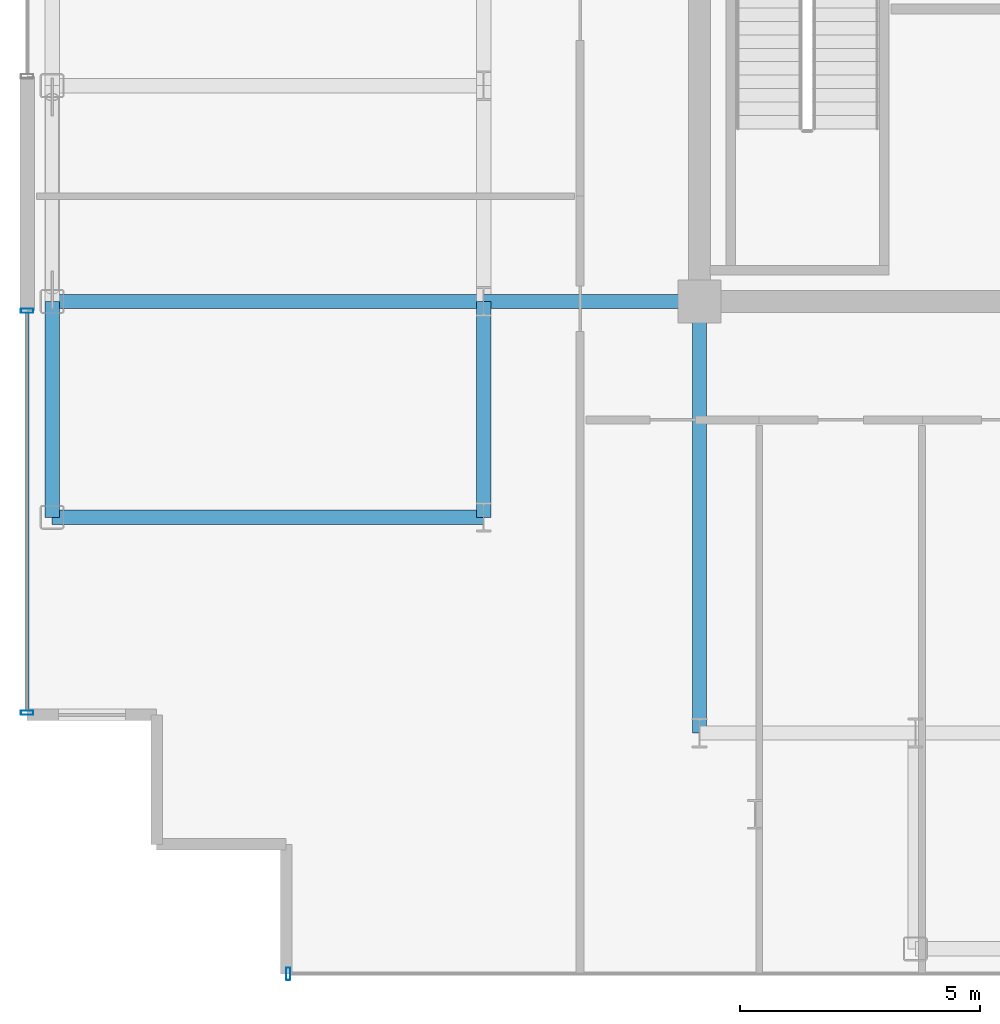
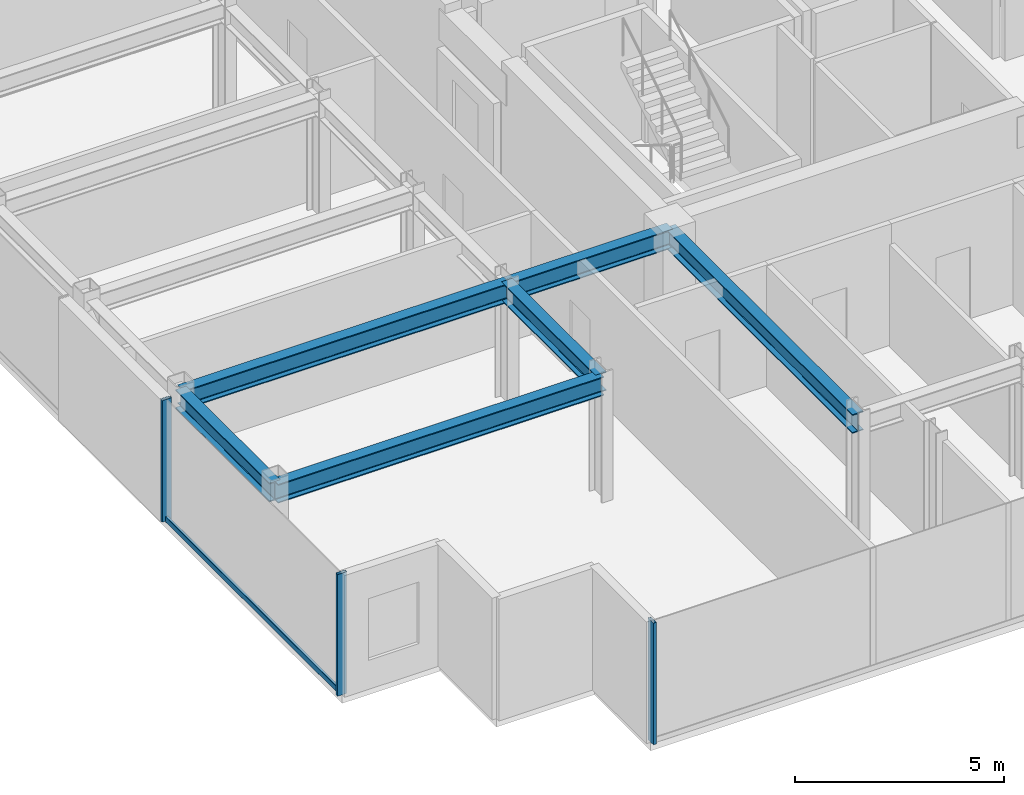
# One storey, part 2 of 16: 6 beams, 4 members, 2 elements without a shape of their own.
"""IFC4 building model written with IfcOpenShell, lengths in metres."""

import ifcopenshell
import ifcopenshell.guid

model = None  # the IFC model being written
_history = None  # IfcOwnerHistory: only IFC2X3 demands one
_inside = {}  # id of a spatial element -> (the spatial element, [elements in it])
_under = {}  # id of a project, library or spatial element -> (it, [spatial elements below it])
_declared = {}  # id of a project -> (the project, [libraries it declares])
_typed = {}  # id of a type object -> (the type object, [elements of that type])
_made_of = {}  # id of a material, layer set ... -> (it, [elements and type objects made of it])


def new_model(schema):
    """Start an empty IFC model of exactly this schema.

    Asked for "IFC4X3", IfcOpenShell would pick the latest addendum, in which some entities
    have other attributes; the version numbers below select the first issue.
    IFC2X3 requires an IfcOwnerHistory on every rooted entity: one is made here for all.
    """
    global model, _history
    if schema == "IFC4X3":
        model = ifcopenshell.file(schema_version=(4, 3, 0, 0))
    else:
        model = ifcopenshell.file(schema=schema)
    _inside.clear()
    _under.clear()
    _declared.clear()
    _typed.clear()
    _made_of.clear()
    _history = None
    if model.schema == "IFC2X3":
        org = make("IfcOrganization", Name="unknown")
        user = make(
            "IfcPersonAndOrganization",
            ThePerson=make("IfcPerson", FamilyName="unknown"),
            TheOrganization=org,
        )
        app = make(
            "IfcApplication",
            ApplicationDeveloper=org,
            Version="unknown",
            ApplicationFullName="unknown",
            ApplicationIdentifier="unknown",
        )
        _history = make(
            "IfcOwnerHistory",
            OwningUser=user,
            OwningApplication=app,
            ChangeAction="ADDED",
            CreationDate=0,
        )
    return model


def make(cls, **values):
    """One entity of the class cls with the attributes given. An attribute that is None is left unset."""
    return model.create_entity(
        cls, **{name: value for name, value in values.items() if value is not None}
    )


def rooted(cls, **values):
    """An entity with a GlobalId (a new one), such as an element, a storey or a relation."""
    return make(cls, GlobalId=ifcopenshell.guid.new(), OwnerHistory=_history, **values)


def si_unit(unit_type, name, prefix=None):
    """IfcSIUnit, for example si_unit("LENGTHUNIT", "METRE", prefix="MILLI")."""
    return make("IfcSIUnit", UnitType=unit_type, Prefix=prefix, Name=name)


def assignment(units):
    """IfcUnitAssignment: the units of a project."""
    return None if units is None else make("IfcUnitAssignment", Units=units)


def point(xyz):
    """IfcCartesianPoint."""
    return None if xyz is None else make("IfcCartesianPoint", Coordinates=xyz)


def direction(xyz):
    """IfcDirection."""
    return None if xyz is None else make("IfcDirection", DirectionRatios=xyz)


def frame(location, z_axis=None, x_axis=None):
    """IfcAxis2Placement3D, a coordinate frame: its origin and axes. An axis left out is left unset."""
    return make(
        "IfcAxis2Placement3D",
        Location=point(location),
        Axis=direction(z_axis),
        RefDirection=direction(x_axis),
    )


def frame_2d(location, x_axis=None):
    """IfcAxis2Placement2D, a coordinate frame in the plane: its origin and x axis."""
    return make(
        "IfcAxis2Placement2D", Location=point(location), RefDirection=direction(x_axis)
    )


def origin():
    """The frame at (0, 0, 0) with its axes left unset."""
    return frame((0.0, 0.0, 0.0))


def origin_2d():
    """The frame at (0, 0) in the plane with its x axis left unset."""
    return frame_2d((0.0, 0.0))


def place(relative_to, where):
    """IfcLocalPlacement: puts the frame where relative to a parent placement (None: the world)."""
    return make(
        "IfcLocalPlacement", PlacementRelTo=relative_to, RelativePlacement=where
    )


def context(
    kind, dimensions, precision=None, world=None, true_north=None, identifier=None
):
    """IfcGeometricRepresentationContext, for example the 3D "Model" context."""
    return make(
        "IfcGeometricRepresentationContext",
        ContextIdentifier=identifier,
        ContextType=kind,
        CoordinateSpaceDimension=dimensions,
        Precision=precision,
        WorldCoordinateSystem=world,
        TrueNorth=true_north,
    )


def subcontext(parent, identifier, kind, view, scale=None):
    """IfcGeometricRepresentationSubContext, for example "Body" below "Model"."""
    return make(
        "IfcGeometricRepresentationSubContext",
        ContextIdentifier=identifier,
        ContextType=kind,
        ParentContext=parent,
        TargetScale=scale,
        TargetView=view,
    )


def project(units=None, contexts=None):
    """IfcProject with its units and contexts."""
    return rooted(
        "IfcProject",
        Name="project",
        RepresentationContexts=contexts,
        UnitsInContext=assignment(units),
    )


def spatial(cls, under=None, at=None, **own):
    """A site, building, storey or space (cls), placed at a placement, below another one or the project."""
    s = rooted(cls, ObjectPlacement=at, **own)
    if under is not None:
        _under.setdefault(under.id(), (under, []))[1].append(s)
    return s


def profile(cls, at=None, kind="AREA", **sizes):
    """A parametric profile (cls). Its sizes go by their IFC names, for example OverallWidth=200.0."""
    return make(cls, ProfileType=kind, Position=at, **sizes)


def hollow_rectangle(**sizes):
    """IfcRectangleHollowProfileDef."""
    return profile("IfcRectangleHollowProfileDef", **sizes)


def i_section(**sizes):
    """IfcIShapeProfileDef."""
    return profile("IfcIShapeProfileDef", **sizes)


def extrude(swept, where, along, depth):
    """IfcExtrudedAreaSolid: the profile swept, set in the frame where, extruded along a direction by depth."""
    return make(
        "IfcExtrudedAreaSolid",
        SweptArea=swept,
        Position=where,
        ExtrudedDirection=direction(along),
        Depth=depth,
    )


def shape(context_of_items, identifier, shape_type, items):
    """IfcShapeRepresentation: the items that make up one representation, for example the "Body"."""
    return make(
        "IfcShapeRepresentation",
        ContextOfItems=context_of_items,
        RepresentationIdentifier=identifier,
        RepresentationType=shape_type,
        Items=items,
    )


def source(mapping_origin, context_of_items, identifier, shape_type, items):
    """IfcRepresentationMap: a shape defined once, which mapped items show again and again."""
    return make(
        "IfcRepresentationMap",
        MappingOrigin=mapping_origin,
        MappedRepresentation=shape(context_of_items, identifier, shape_type, items),
    )


def transform(
    local_origin,
    x_axis=None,
    y_axis=None,
    z_axis=None,
    scale=None,
    scale2=None,
    scale3=None,
    uniform=True,
):
    """IfcCartesianTransformationOperator3D, or its non-uniform kind. x_axis, y_axis, z_axis: its Axis1, 2, 3."""
    if uniform:
        return make(
            "IfcCartesianTransformationOperator3D",
            Axis1=direction(x_axis),
            Axis2=direction(y_axis),
            LocalOrigin=point(local_origin),
            Scale=scale,
            Axis3=direction(z_axis),
        )
    return make(
        "IfcCartesianTransformationOperator3DnonUniform",
        Axis1=direction(x_axis),
        Axis2=direction(y_axis),
        LocalOrigin=point(local_origin),
        Scale=scale,
        Axis3=direction(z_axis),
        Scale2=scale2,
        Scale3=scale3,
    )


def mapped(mapping_source, mapping_target):
    """IfcMappedItem: shows the shape of a source again, moved by a transform."""
    return make(
        "IfcMappedItem", MappingSource=mapping_source, MappingTarget=mapping_target
    )


def material(Name=None, Category=None):
    """IfcMaterial."""
    return make("IfcMaterial", Name=Name, Category=Category)


def layer(
    of_material, thickness, ventilated=None, Name=None, Category=None, Priority=None
):
    """IfcMaterialLayer: one layer of a wall or slab, of a material (None: an air gap)."""
    return make(
        "IfcMaterialLayer",
        Material=of_material,
        LayerThickness=thickness,
        IsVentilated=ventilated,
        Name=Name,
        Category=Category,
        Priority=Priority,
    )


def layer_set(layers, Name=None):
    """IfcMaterialLayerSet."""
    return make("IfcMaterialLayerSet", MaterialLayers=layers, LayerSetName=Name)


def material_profile(
    of_material, cross_section, Name=None, Category=None, Priority=None
):
    """IfcMaterialProfile: a cross section and its material."""
    return make(
        "IfcMaterialProfile",
        Name=Name,
        Material=of_material,
        Profile=cross_section,
        Priority=Priority,
        Category=Category,
    )


def profile_set(profiles, Name=None, composite=None):
    """IfcMaterialProfileSet."""
    return make(
        "IfcMaterialProfileSet",
        Name=Name,
        MaterialProfiles=profiles,
        CompositeProfile=composite,
    )


def made_of(thing, what):
    """Note that an element or type object is made of a material, layer set ...; save() writes the relation."""
    if what is not None:
        _made_of.setdefault(what.id(), (what, []))[1].append(thing)
    return thing


def type_object(cls, material=None, **own):
    """A type object (cls), such as IfcWallType, which elements share."""
    return made_of(rooted(cls, **own), material)


def element(
    cls,
    number,
    at=None,
    inside=None,
    cuts=None,
    type_object=None,
    material=None,
    context=None,
    identifier="Body",
    shape_type=None,
    held_by="IfcProductDefinitionShape",
    body=None,
    shapes=None,
    **own,
):
    """One element of the class cls, such as IfcWall. Its Tag is "e" and its number.

    at: its placement. inside: the storey or other place that contains it. cuts: it is an
    opening in that element (IfcRelVoidsElement). A single representation is given by context,
    identifier, shape_type and body (its items); several are given by shapes. held_by: the class
    of the entity that holds the representations. save() writes the other relations.
    """
    e = rooted(cls, Tag="e%d" % number, ObjectPlacement=at, **own)
    if body is not None:
        shapes = [shape(context, identifier, shape_type, body)]
    if shapes is not None:
        e.Representation = make(held_by, Representations=shapes)
    if inside is not None:
        _inside.setdefault(inside.id(), (inside, []))[1].append(e)
    if cuts is not None:
        rooted(
            "IfcRelVoidsElement", RelatingBuildingElement=cuts, RelatedOpeningElement=e
        )
    if type_object is not None:
        _typed.setdefault(type_object.id(), (type_object, []))[1].append(e)
    return made_of(e, material)


def aggregate(whole, parts):
    """IfcRelAggregates: a whole, such as a stair, and the parts it consists of."""
    return rooted("IfcRelAggregates", RelatingObject=whole, RelatedObjects=parts)


def save(model, path):
    """Write the relations noted so far, then the file.

    IfcRelAggregates (storeys below a building ...), IfcRelContainedInSpatialStructure (elements
    in a storey), IfcRelDefinesByType, IfcRelAssociatesMaterial and IfcRelDeclares: one each for
    every whole, place, type object, material and project.
    """
    for whole, parts in _under.values():
        aggregate(whole, parts)
    for where, things in _inside.values():
        rooted(
            "IfcRelContainedInSpatialStructure",
            RelatedElements=things,
            RelatingStructure=where,
        )
    for kind, things in _typed.values():
        rooted("IfcRelDefinesByType", RelatedObjects=things, RelatingType=kind)
    for what, things in _made_of.values():
        rooted("IfcRelAssociatesMaterial", RelatedObjects=things, RelatingMaterial=what)
    for by, libraries in _declared.values():
        rooted("IfcRelDeclares", RelatingContext=by, RelatedDefinitions=libraries)
    model.write(path)


model = new_model("IFC4")

# Units and contexts
model_context = context("Model", 3, precision=1e-05, world=origin(), true_north=direction((0.0, 1.0)))
body_context = subcontext(model_context, "Body", "Model", "MODEL_VIEW")
ifc_project = project(units=[si_unit("LENGTHUNIT", "METRE"), si_unit("AREAUNIT", "SQUARE_METRE"), si_unit("VOLUMEUNIT", "CUBIC_METRE"), si_unit("PLANEANGLEUNIT", "RADIAN"), si_unit("MASSUNIT", "GRAM", prefix="KILO")], contexts=[model_context])

# Site, building, storey
site_placement = place(None, origin())
site = spatial("IfcSite", under=ifc_project, at=site_placement, CompositionType="ELEMENT")
building_placement = place(site_placement, origin())
building = spatial("IfcBuilding", under=site, at=building_placement, Name="Nefas-Gora Pilgrimage Tower", CompositionType="ELEMENT")
storey_placement = place(building_placement, frame((0.0, 0.0, 310.199951171875)))
storey = spatial("IfcBuildingStorey", under=building, at=storey_placement, Name="L78", CompositionType="ELEMENT", Elevation=310.199951171875)

# Beams
ifc_material_1 = material(Name="Steel S355", Category="steel")
ifc_material_profile_1 = material_profile(ifc_material_1, i_section(OverallWidth=0.300048828125, OverallDepth=0.550048828125, WebThickness=0.014892578125, FlangeThickness=0.029052734375, FilletRadius=0.027099609375, at=origin_2d()), Name="HEB 550")
ifc_profile_set_1 = profile_set([ifc_material_profile_1], Name="Steel S355")
beam_type_1 = type_object("IfcBeamType", Name="BM-SPN-HEB400", PredefinedType="SPANDREL", material=ifc_profile_set_1)
shared_shape_1 = source(origin(), body_context, "Body", "SweptSolid", [
    extrude(i_section(OverallWidth=0.300048828125, OverallDepth=0.550048828125, WebThickness=0.014892578125, FlangeThickness=0.029052734375, FilletRadius=0.027099609375, at=origin_2d()), origin(), (0.0, 0.0, 1.0), 4.5),
])
beam_placement = place(storey_placement, frame((-24.75, -13.5, 3.275146484375), z_axis=(0.0, 1.0, 0.0), x_axis=(-1.0, 0.0, 0.0)))
element("IfcBeam", 1, at=beam_placement, inside=storey, type_object=beam_type_1, Name="L78 SP-04 beam", PredefinedType="SPANDREL", context=body_context, shape_type="MappedRepresentation", body=[
    mapped(shared_shape_1, transform((0.0, 0.0, 0.0), x_axis=(1.0, 0.0, 0.0), y_axis=(0.0, 1.0, 0.0), z_axis=(0.0, 0.0, 1.0), scale=1.0)),
])
ifc_material_profile_2 = material_profile(ifc_material_1, i_section(OverallWidth=0.300048828125, OverallDepth=0.550048828125, WebThickness=0.014892578125, FlangeThickness=0.029052734375, FilletRadius=0.027099609375, at=origin_2d()), Name="HEB 550")
ifc_profile_set_2 = profile_set([ifc_material_profile_2], Name="Steel S355")
beam_type_2 = type_object("IfcBeamType", Name="BM-GIR-HEB550", PredefinedType="BEAM", material=ifc_profile_set_2)
shared_shape_2 = source(origin(), body_context, "Body", "SweptSolid", [
    extrude(i_section(OverallWidth=0.300048828125, OverallDepth=0.550048828125, WebThickness=0.014892578125, FlangeThickness=0.029052734375, FilletRadius=0.027099609375, at=origin_2d()), origin(), (0.0, 0.0, 1.0), 9.0),
])
for number, where, z_axis, x_axis, name in (
    (2, (-24.75, -13.5, 3.275146484375), (1.0, 0.0, 0.0), (0.0, 1.0, 0.0), "L78 G-05 beam"),
    (3, (-24.75, -9.0, 3.275146484375), (1.0, 0.0, 0.0), (0.0, 1.0, 0.0), "L78 G-05 beam"),
    (4, (-11.25, -18.0, 3.275146484375), (0.0, 1.0, 0.0), (-1.0, 0.0, 0.0), "L78 G-05 beam"),
):
    element("IfcBeam", number, at=place(storey_placement, frame(where, z_axis=z_axis, x_axis=x_axis)), inside=storey, type_object=beam_type_2, Name=name, PredefinedType="BEAM", context=body_context, shape_type="MappedRepresentation", body=[
        mapped(shared_shape_2, transform((0.0, 0.0, 0.0), x_axis=(1.0, 0.0, 0.0), y_axis=(0.0, 1.0, 0.0), z_axis=(0.0, 0.0, 1.0), scale=1.0)),
    ])
shared_shape_3 = source(origin(), body_context, "Body", "SweptSolid", [
    extrude(i_section(OverallWidth=0.300048828125, OverallDepth=0.550048828125, WebThickness=0.014892578125, FlangeThickness=0.029052734375, FilletRadius=0.027099609375, at=origin_2d()), origin(), (0.0, 0.0, 1.0), 4.5),
])
for number, where, z_axis, x_axis, name in (
    (5, (-15.75, -13.5, 3.275146484375), (0.0, 1.0, 0.0), (-1.0, 0.0, 0.0), "L78 G-05 beam"),
    (6, (-15.75, -9.0, 3.275146484375), (1.0, 0.0, 0.0), (0.0, 1.0, 0.0), "L78 G-05 beam"),
):
    element("IfcBeam", number, at=place(storey_placement, frame(where, z_axis=z_axis, x_axis=x_axis)), inside=storey, type_object=beam_type_2, Name=name, PredefinedType="BEAM", context=body_context, shape_type="MappedRepresentation", body=[
        mapped(shared_shape_3, transform((0.0, 0.0, 0.0), x_axis=(1.0, 0.0, 0.0), y_axis=(0.0, 1.0, 0.0), z_axis=(0.0, 0.0, 1.0), scale=1.0)),
    ])

# Curtain wall, members
ifc_material_2 = material(Name="Dark ceramic-fritted solar-control aluminium-glass curtain wall", Category="aluminium")
ifc_layer = layer(ifc_material_2, 0.219970703125)
ifc_layer_set = layer_set([ifc_layer], Name="Dark ceramic-fritted solar-control aluminium-glass curtain wall")
curtain_wall_type = type_object("IfcCurtainWallType", Name="CW-SYS-4", PredefinedType="NOTDEFINED", material=ifc_layer_set)
curtain_wall_1_placement = place(storey_placement, origin())
curtain_wall_1 = element("IfcCurtainWall", 7, at=curtain_wall_1_placement, inside=storey, type_object=curtain_wall_type, Name="L78 Unitised Curtain Wall CW4", PredefinedType="NOTDEFINED")
ifc_material_3 = material(Name="Anodised architectural aluminium", Category="aluminium")
ifc_material_profile_3 = material_profile(ifc_material_3, hollow_rectangle(XDim=0.080078125, YDim=0.159912109375, WallThickness=0.00439453125, InnerFilletRadius=0.00439453125, OuterFilletRadius=0.009033203125, at=origin_2d()), Name="ALU TRANSOM 80x160")
ifc_profile_set_3 = profile_set([ifc_material_profile_3], Name="Anodised architectural aluminium")
member_type_1 = type_object("IfcMemberType", Name="CWM-TRN-4", PredefinedType="USERDEFINED", material=ifc_profile_set_3)
shared_shape_4 = source(origin(), body_context, "Body", "SweptSolid", [
    extrude(hollow_rectangle(XDim=0.080078125, YDim=0.159912109375, WallThickness=0.00439453125, InnerFilletRadius=0.00439453125, OuterFilletRadius=0.009033203125, at=origin_2d()), origin(), (0.0, 0.0, 1.0), 8.2900390625),
])
member_1_placement = place(storey_placement, frame((-25.27001953125, -9.239990234375, 0.050048828125), z_axis=(0.0, -1.0, 0.0), x_axis=(1.0, 0.0, 0.0)))
member_1 = element("IfcMember", 8, at=member_1_placement, type_object=member_type_1, Name="CW4 Spandrel Transom", ObjectType="TRANSOM", PredefinedType="USERDEFINED", context=body_context, shape_type="MappedRepresentation", body=[
    mapped(shared_shape_4, transform((0.0, 0.0, 0.0), x_axis=(1.0, 0.0, 0.0), y_axis=(0.0, 1.0, 0.0), z_axis=(0.0, 0.0, 1.0), scale=1.0)),
])
ifc_material_profile_4 = material_profile(ifc_material_3, hollow_rectangle(XDim=0.090087890625, YDim=0.260009765625, WallThickness=0.006103515625, InnerFilletRadius=0.006103515625, OuterFilletRadius=0.011962890625, at=origin_2d()), Name="ALU MULLION 90x260")
ifc_profile_set_4 = profile_set([ifc_material_profile_4], Name="Anodised architectural aluminium")
member_type_2 = type_object("IfcMemberType", Name="CWM-MUL-4", PredefinedType="MULLION", material=ifc_profile_set_4)
shared_shape_5 = source(origin(), body_context, "Body", "SweptSolid", [
    extrude(hollow_rectangle(XDim=0.090087890625, YDim=0.260009765625, WallThickness=0.006103515625, InnerFilletRadius=0.006103515625, OuterFilletRadius=0.011962890625, at=origin_2d()), origin(), (0.0, 0.0, 1.0), 3.550048828125),
])
member_2_placement = place(storey_placement, frame((-25.27001953125, -9.195068359375, 0.0), z_axis=(0.0, 0.0, 1.0), x_axis=(0.0, -1.0, 0.0)))
member_2 = element("IfcMember", 9, at=member_2_placement, type_object=member_type_2, Name="CW4 Mullion 1", PredefinedType="MULLION", context=body_context, shape_type="MappedRepresentation", body=[
    mapped(shared_shape_5, transform((0.0, 0.0, 0.0), x_axis=(1.0, 0.0, 0.0), y_axis=(0.0, 1.0, 0.0), z_axis=(0.0, 0.0, 1.0), scale=1.0)),
])
member_3_placement = place(storey_placement, frame((-25.27001953125, -17.574951171875, 0.0), z_axis=(0.0, 0.0, 1.0), x_axis=(0.0, -1.0, 0.0)))
member_3 = element("IfcMember", 10, at=member_3_placement, type_object=member_type_2, Name="CW4 Mullion 2", PredefinedType="MULLION", context=body_context, shape_type="MappedRepresentation", body=[
    mapped(shared_shape_5, transform((0.0, 0.0, 0.0), x_axis=(1.0, 0.0, 0.0), y_axis=(0.0, 1.0, 0.0), z_axis=(0.0, 0.0, 1.0), scale=1.0)),
])
aggregate(curtain_wall_1, [member_2, member_3, member_1])

# Curtain wall, member
curtain_wall_2_placement = place(storey_placement, origin())
curtain_wall_2 = element("IfcCurtainWall", 11, at=curtain_wall_2_placement, inside=storey, type_object=curtain_wall_type, Name="L78 Unitised Curtain Wall CW4", PredefinedType="NOTDEFINED")
member_4_placement = place(storey_placement, frame((-19.824951171875, -23.02001953125, 0.0), z_axis=(0.0, 0.0, 1.0), x_axis=(1.0, 0.0, 0.0)))
member_4 = element("IfcMember", 12, at=member_4_placement, type_object=member_type_2, Name="CW4 Mullion 1", PredefinedType="MULLION", context=body_context, shape_type="MappedRepresentation", body=[
    mapped(shared_shape_5, transform((0.0, 0.0, 0.0), x_axis=(1.0, 0.0, 0.0), y_axis=(0.0, 1.0, 0.0), z_axis=(0.0, 0.0, 1.0), scale=1.0)),
])
aggregate(curtain_wall_2, [member_4])

save(model, "model.ifc")
